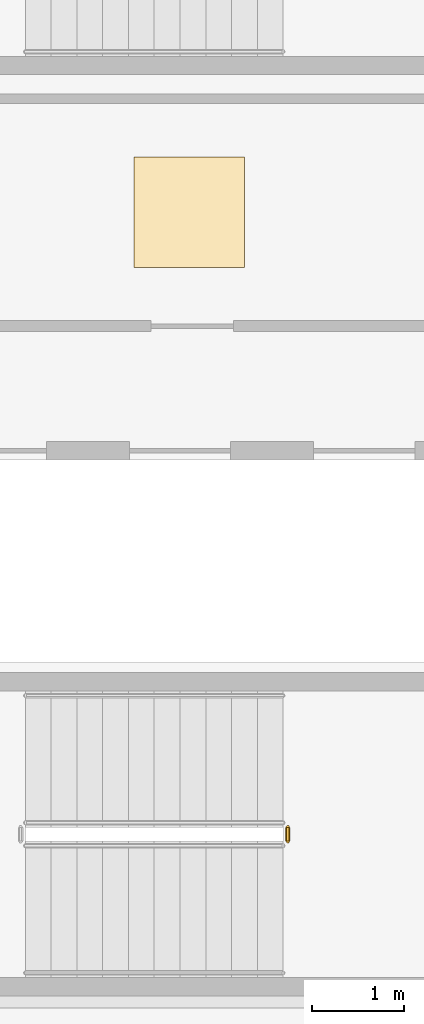
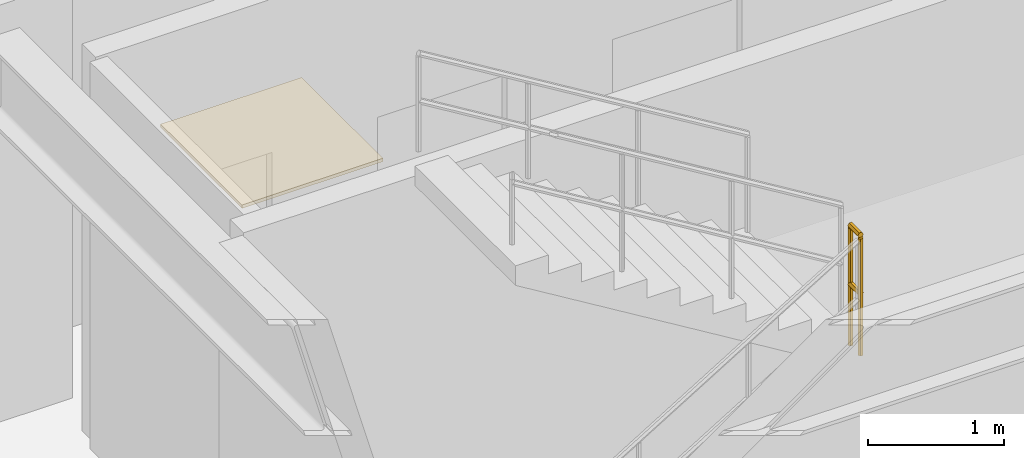
# One storey, part 26 of 28: 1 covering, 1 railing.
"""IFC4 building model written with IfcOpenShell, lengths in metres."""

import ifcopenshell
import ifcopenshell.guid

model = None  # the IFC model being written
_history = None  # IfcOwnerHistory: only IFC2X3 demands one
_inside = {}  # id of a spatial element -> (the spatial element, [elements in it])
_under = {}  # id of a project, library or spatial element -> (it, [spatial elements below it])
_declared = {}  # id of a project -> (the project, [libraries it declares])
_typed = {}  # id of a type object -> (the type object, [elements of that type])
_made_of = {}  # id of a material, layer set ... -> (it, [elements and type objects made of it])


def new_model(schema):
    """Start an empty IFC model of exactly this schema.

    Asked for "IFC4X3", IfcOpenShell would pick the latest addendum, in which some entities
    have other attributes; the version numbers below select the first issue.
    IFC2X3 requires an IfcOwnerHistory on every rooted entity: one is made here for all.
    """
    global model, _history
    if schema == "IFC4X3":
        model = ifcopenshell.file(schema_version=(4, 3, 0, 0))
    else:
        model = ifcopenshell.file(schema=schema)
    _inside.clear()
    _under.clear()
    _declared.clear()
    _typed.clear()
    _made_of.clear()
    _history = None
    if model.schema == "IFC2X3":
        org = make("IfcOrganization", Name="unknown")
        user = make(
            "IfcPersonAndOrganization",
            ThePerson=make("IfcPerson", FamilyName="unknown"),
            TheOrganization=org,
        )
        app = make(
            "IfcApplication",
            ApplicationDeveloper=org,
            Version="unknown",
            ApplicationFullName="unknown",
            ApplicationIdentifier="unknown",
        )
        _history = make(
            "IfcOwnerHistory",
            OwningUser=user,
            OwningApplication=app,
            ChangeAction="ADDED",
            CreationDate=0,
        )
    return model


def make(cls, **values):
    """One entity of the class cls with the attributes given. An attribute that is None is left unset."""
    return model.create_entity(
        cls, **{name: value for name, value in values.items() if value is not None}
    )


def rooted(cls, **values):
    """An entity with a GlobalId (a new one), such as an element, a storey or a relation."""
    return make(cls, GlobalId=ifcopenshell.guid.new(), OwnerHistory=_history, **values)


def si_unit(unit_type, name, prefix=None):
    """IfcSIUnit, for example si_unit("LENGTHUNIT", "METRE", prefix="MILLI")."""
    return make("IfcSIUnit", UnitType=unit_type, Prefix=prefix, Name=name)


def assignment(units):
    """IfcUnitAssignment: the units of a project."""
    return None if units is None else make("IfcUnitAssignment", Units=units)


def point(xyz):
    """IfcCartesianPoint."""
    return None if xyz is None else make("IfcCartesianPoint", Coordinates=xyz)


def direction(xyz):
    """IfcDirection."""
    return None if xyz is None else make("IfcDirection", DirectionRatios=xyz)


def frame(location, z_axis=None, x_axis=None):
    """IfcAxis2Placement3D, a coordinate frame: its origin and axes. An axis left out is left unset."""
    return make(
        "IfcAxis2Placement3D",
        Location=point(location),
        Axis=direction(z_axis),
        RefDirection=direction(x_axis),
    )


def frame_2d(location, x_axis=None):
    """IfcAxis2Placement2D, a coordinate frame in the plane: its origin and x axis."""
    return make(
        "IfcAxis2Placement2D", Location=point(location), RefDirection=direction(x_axis)
    )


def origin():
    """The frame at (0, 0, 0) with its axes left unset."""
    return frame((0.0, 0.0, 0.0))


def origin_2d():
    """The frame at (0, 0) in the plane with its x axis left unset."""
    return frame_2d((0.0, 0.0))


def place(relative_to, where):
    """IfcLocalPlacement: puts the frame where relative to a parent placement (None: the world)."""
    return make(
        "IfcLocalPlacement", PlacementRelTo=relative_to, RelativePlacement=where
    )


def context(
    kind, dimensions, precision=None, world=None, true_north=None, identifier=None
):
    """IfcGeometricRepresentationContext, for example the 3D "Model" context."""
    return make(
        "IfcGeometricRepresentationContext",
        ContextIdentifier=identifier,
        ContextType=kind,
        CoordinateSpaceDimension=dimensions,
        Precision=precision,
        WorldCoordinateSystem=world,
        TrueNorth=true_north,
    )


def subcontext(parent, identifier, kind, view, scale=None):
    """IfcGeometricRepresentationSubContext, for example "Body" below "Model"."""
    return make(
        "IfcGeometricRepresentationSubContext",
        ContextIdentifier=identifier,
        ContextType=kind,
        ParentContext=parent,
        TargetScale=scale,
        TargetView=view,
    )


def project(units=None, contexts=None):
    """IfcProject with its units and contexts."""
    return rooted(
        "IfcProject",
        Name="project",
        RepresentationContexts=contexts,
        UnitsInContext=assignment(units),
    )


def spatial(cls, under=None, at=None, **own):
    """A site, building, storey or space (cls), placed at a placement, below another one or the project."""
    s = rooted(cls, ObjectPlacement=at, **own)
    if under is not None:
        _under.setdefault(under.id(), (under, []))[1].append(s)
    return s


def polyline(points):
    """IfcPolyline through the points."""
    return make("IfcPolyline", Points=[point(p) for p in points])


def profile(cls, at=None, kind="AREA", **sizes):
    """A parametric profile (cls). Its sizes go by their IFC names, for example OverallWidth=200.0."""
    return make(cls, ProfileType=kind, Position=at, **sizes)


def rectangle(**sizes):
    """IfcRectangleProfileDef."""
    return profile("IfcRectangleProfileDef", **sizes)


def outline(outer, holes=None, kind="AREA"):
    """IfcArbitraryClosedProfileDef: a profile drawn as a closed curve; with holes, ...WithVoids."""
    if holes is None:
        return make("IfcArbitraryClosedProfileDef", ProfileType=kind, OuterCurve=outer)
    return make(
        "IfcArbitraryProfileDefWithVoids",
        ProfileType=kind,
        OuterCurve=outer,
        InnerCurves=holes,
    )


def extrude(swept, where, along, depth):
    """IfcExtrudedAreaSolid: the profile swept, set in the frame where, extruded along a direction by depth."""
    return make(
        "IfcExtrudedAreaSolid",
        SweptArea=swept,
        Position=where,
        ExtrudedDirection=direction(along),
        Depth=depth,
    )


def shape(context_of_items, identifier, shape_type, items):
    """IfcShapeRepresentation: the items that make up one representation, for example the "Body"."""
    return make(
        "IfcShapeRepresentation",
        ContextOfItems=context_of_items,
        RepresentationIdentifier=identifier,
        RepresentationType=shape_type,
        Items=items,
    )


def source(mapping_origin, context_of_items, identifier, shape_type, items):
    """IfcRepresentationMap: a shape defined once, which mapped items show again and again."""
    return make(
        "IfcRepresentationMap",
        MappingOrigin=mapping_origin,
        MappedRepresentation=shape(context_of_items, identifier, shape_type, items),
    )


def transform(
    local_origin,
    x_axis=None,
    y_axis=None,
    z_axis=None,
    scale=None,
    scale2=None,
    scale3=None,
    uniform=True,
):
    """IfcCartesianTransformationOperator3D, or its non-uniform kind. x_axis, y_axis, z_axis: its Axis1, 2, 3."""
    if uniform:
        return make(
            "IfcCartesianTransformationOperator3D",
            Axis1=direction(x_axis),
            Axis2=direction(y_axis),
            LocalOrigin=point(local_origin),
            Scale=scale,
            Axis3=direction(z_axis),
        )
    return make(
        "IfcCartesianTransformationOperator3DnonUniform",
        Axis1=direction(x_axis),
        Axis2=direction(y_axis),
        LocalOrigin=point(local_origin),
        Scale=scale,
        Axis3=direction(z_axis),
        Scale2=scale2,
        Scale3=scale3,
    )


def mapped(mapping_source, mapping_target):
    """IfcMappedItem: shows the shape of a source again, moved by a transform."""
    return make(
        "IfcMappedItem", MappingSource=mapping_source, MappingTarget=mapping_target
    )


def material(Name=None, Category=None):
    """IfcMaterial."""
    return make("IfcMaterial", Name=Name, Category=Category)


def layer(
    of_material, thickness, ventilated=None, Name=None, Category=None, Priority=None
):
    """IfcMaterialLayer: one layer of a wall or slab, of a material (None: an air gap)."""
    return make(
        "IfcMaterialLayer",
        Material=of_material,
        LayerThickness=thickness,
        IsVentilated=ventilated,
        Name=Name,
        Category=Category,
        Priority=Priority,
    )


def layer_set(layers, Name=None):
    """IfcMaterialLayerSet."""
    return make("IfcMaterialLayerSet", MaterialLayers=layers, LayerSetName=Name)


def made_of(thing, what):
    """Note that an element or type object is made of a material, layer set ...; save() writes the relation."""
    if what is not None:
        _made_of.setdefault(what.id(), (what, []))[1].append(thing)
    return thing


def type_object(cls, material=None, **own):
    """A type object (cls), such as IfcWallType, which elements share."""
    return made_of(rooted(cls, **own), material)


def element(
    cls,
    number,
    at=None,
    inside=None,
    cuts=None,
    type_object=None,
    material=None,
    context=None,
    identifier="Body",
    shape_type=None,
    held_by="IfcProductDefinitionShape",
    body=None,
    shapes=None,
    **own,
):
    """One element of the class cls, such as IfcWall. Its Tag is "e" and its number.

    at: its placement. inside: the storey or other place that contains it. cuts: it is an
    opening in that element (IfcRelVoidsElement). A single representation is given by context,
    identifier, shape_type and body (its items); several are given by shapes. held_by: the class
    of the entity that holds the representations. save() writes the other relations.
    """
    e = rooted(cls, Tag="e%d" % number, ObjectPlacement=at, **own)
    if body is not None:
        shapes = [shape(context, identifier, shape_type, body)]
    if shapes is not None:
        e.Representation = make(held_by, Representations=shapes)
    if inside is not None:
        _inside.setdefault(inside.id(), (inside, []))[1].append(e)
    if cuts is not None:
        rooted(
            "IfcRelVoidsElement", RelatingBuildingElement=cuts, RelatedOpeningElement=e
        )
    if type_object is not None:
        _typed.setdefault(type_object.id(), (type_object, []))[1].append(e)
    return made_of(e, material)


def aggregate(whole, parts):
    """IfcRelAggregates: a whole, such as a stair, and the parts it consists of."""
    return rooted("IfcRelAggregates", RelatingObject=whole, RelatedObjects=parts)


def save(model, path):
    """Write the relations noted so far, then the file.

    IfcRelAggregates (storeys below a building ...), IfcRelContainedInSpatialStructure (elements
    in a storey), IfcRelDefinesByType, IfcRelAssociatesMaterial and IfcRelDeclares: one each for
    every whole, place, type object, material and project.
    """
    for whole, parts in _under.values():
        aggregate(whole, parts)
    for where, things in _inside.values():
        rooted(
            "IfcRelContainedInSpatialStructure",
            RelatedElements=things,
            RelatingStructure=where,
        )
    for kind, things in _typed.values():
        rooted("IfcRelDefinesByType", RelatedObjects=things, RelatingType=kind)
    for what, things in _made_of.values():
        rooted("IfcRelAssociatesMaterial", RelatedObjects=things, RelatingMaterial=what)
    for by, libraries in _declared.values():
        rooted("IfcRelDeclares", RelatingContext=by, RelatedDefinitions=libraries)
    model.write(path)


model = new_model("IFC4")

# Units and contexts
model_context = context("Model", 3, precision=1e-05, world=origin(), true_north=direction((0.0, 1.0)))
body_context = subcontext(model_context, "Body", "Model", "MODEL_VIEW")
ifc_project = project(units=[si_unit("LENGTHUNIT", "METRE"), si_unit("AREAUNIT", "SQUARE_METRE"), si_unit("VOLUMEUNIT", "CUBIC_METRE"), si_unit("PLANEANGLEUNIT", "RADIAN"), si_unit("MASSUNIT", "GRAM", prefix="KILO")], contexts=[model_context])

# Site, building, storey
site_placement = place(None, origin())
site = spatial("IfcSite", under=ifc_project, at=site_placement, CompositionType="ELEMENT")
building_placement = place(site_placement, origin())
building = spatial("IfcBuilding", under=site, at=building_placement, Name="Kelanora Arch Commons", CompositionType="ELEMENT")
storey_placement = place(building_placement, frame((0.0, 0.0, 139.35009765625)))
storey = spatial("IfcBuildingStorey", under=building, at=storey_placement, Name="L35", CompositionType="ELEMENT", Elevation=139.35009765625)

# Railing
ifc_material_1 = material(Name="Painted steel stair well guard", Category="steel")
railing_type = type_object("IfcRailingType", Name="RAIL-STAIR-GRD", PredefinedType="GUARDRAIL", material=ifc_material_1)
railing_placement = place(storey_placement, frame((70.570068359375, 52.659912109375, 1.875)))
element("IfcRailing", 1, at=railing_placement, inside=storey, type_object=railing_type, Name="L35 ST-T3 stair guard 2", PredefinedType="GUARDRAIL", context=body_context, shape_type="SweptSolid", body=[
    extrude(outline(polyline([(0.02392578125, 0.0), (0.011962890625, 0.020751953125), (-0.011962890625, 0.020751953125), (-0.02392578125, 0.0), (-0.011962890625, -0.020751953125), (0.011962890625, -0.020751953125), (0.02392578125, 0.0)])), frame((0.0, 0.0, 1.076171875), z_axis=(0.0, 1.0, 0.0), x_axis=(-1.0, 0.0, 0.0)), (0.0, 0.0, 1.0), 0.150146484375),
    extrude(outline(polyline([(0.02392578125, 0.0), (0.011962890625, 0.020751953125), (-0.011962890625, 0.020751953125), (-0.02392578125, 0.0), (-0.011962890625, -0.020751953125), (0.011962890625, -0.020751953125), (0.02392578125, 0.0)])), frame((0.0, 0.0, 0.550048828125), z_axis=(0.0, 1.0, 0.0), x_axis=(-1.0, 0.0, 0.0)), (0.0, 0.0, 1.0), 0.150146484375),
    extrude(outline(polyline([(0.02099609375, 0.0), (0.010498046875, 0.01806640625), (-0.010498046875, 0.01806640625), (-0.02099609375, 0.0), (-0.010498046875, -0.01806640625), (0.010498046875, -0.01806640625), (0.02099609375, 0.0)])), origin(), (0.0, 0.0, 1.0), 1.052001953125),
    extrude(outline(polyline([(0.02099609375, 0.0), (0.010498046875, 0.01806640625), (-0.010498046875, 0.01806640625), (-0.02099609375, 0.0), (-0.010498046875, -0.01806640625), (0.010498046875, -0.01806640625), (0.02099609375, 0.0)])), frame((0.0, 0.150146484375, 0.0)), (0.0, 0.0, 1.0), 1.052001953125),
])

# Covering
ifc_material_2 = material(Name="Polished local granite terrazzo flooring", Category="masonry")
ifc_layer = layer(ifc_material_2, 0.030029296875)
ifc_layer_set = layer_set([ifc_layer], Name="Polished local granite terrazzo flooring")
covering_type = type_object("IfcCoveringType", Name="COV-FLR-TER", PredefinedType="FLOORING", material=ifc_layer_set)
shared_shape = source(origin(), body_context, "Body", "SweptSolid", [
    extrude(rectangle(XDim=1.199951171875, YDim=1.199951171875, at=origin_2d()), origin(), (0.0, 0.0, 1.0), 0.030029296875),
])
covering_placement = place(storey_placement, frame((69.5, 59.485107421875, 0.0), z_axis=(0.0, 0.0, 1.0), x_axis=(1.0, 0.0, 0.0)))
element("IfcCovering", 2, at=covering_placement, inside=storey, type_object=covering_type, Name="Reclaimed Core Study Pod Lounge L35 Terrazzo Finish", PredefinedType="FLOORING", context=body_context, shape_type="MappedRepresentation", body=[
    mapped(shared_shape, transform((0.0, 0.0, 0.0), scale=1.0)),
])

save(model, "model.ifc")
